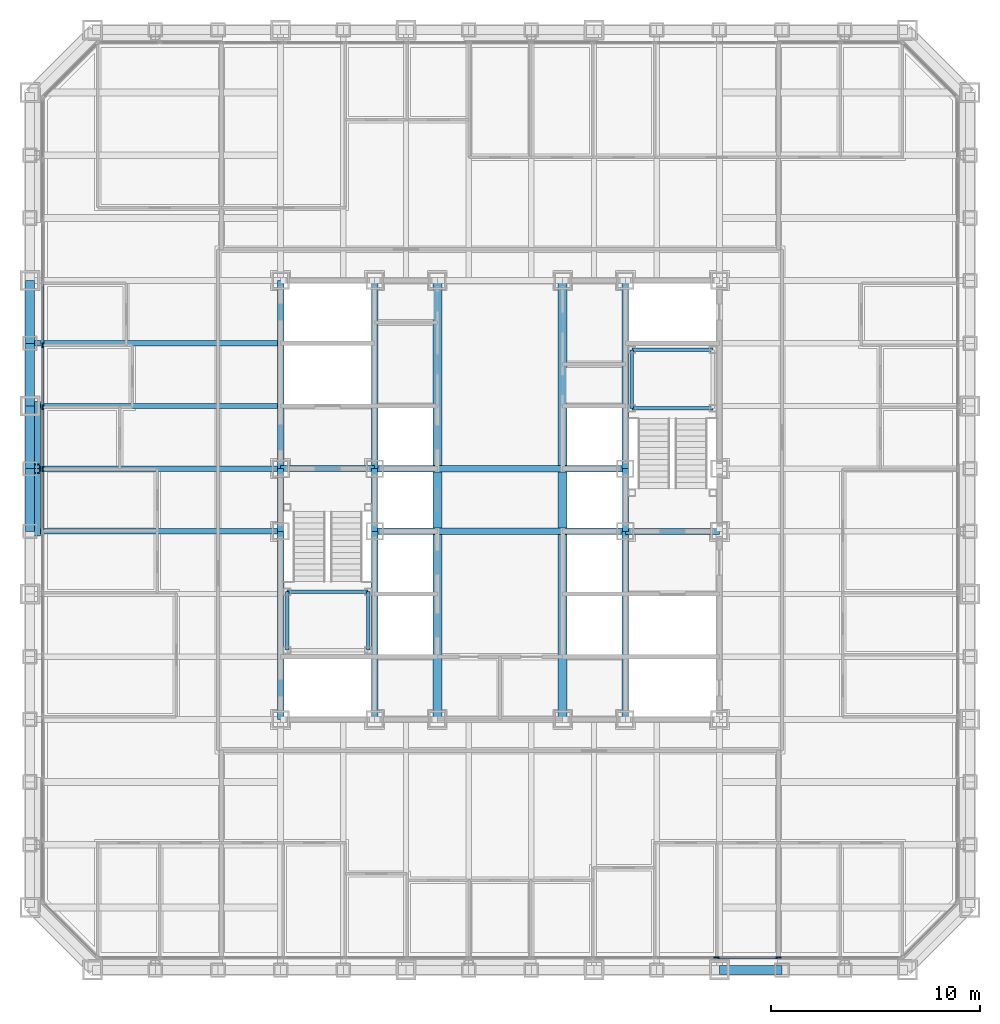
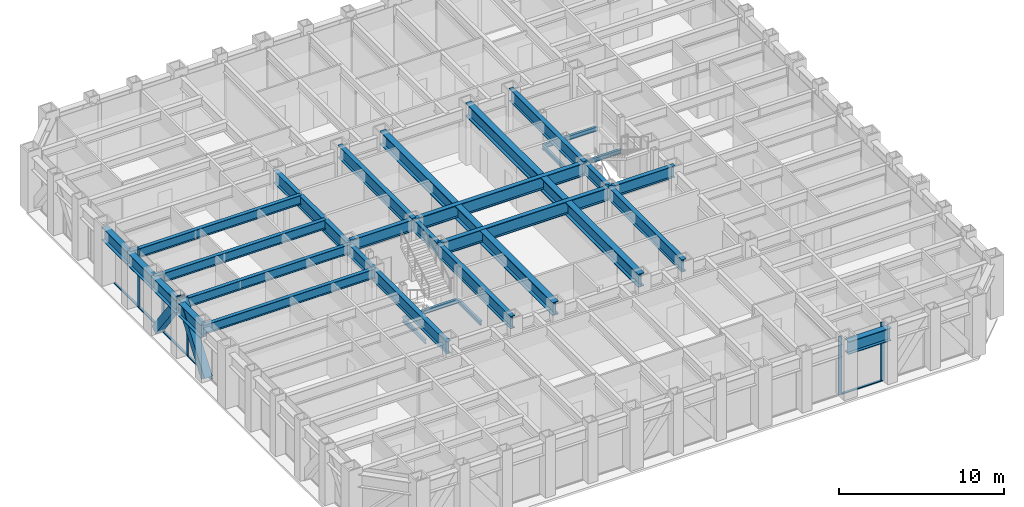
# One storey, part 3 of 16: 34 beams, 12 members, 2 elements without a shape of their own.
"""IFC4 building model written with IfcOpenShell, lengths in metres."""

from ifc_helpers import new_model, si_unit, direction, frame, origin, origin_2d, place, context, subcontext, project, spatial, rectangle, hollow_rectangle, i_section, extrude, material, layer, layer_set, material_profile, profile_set, type_object, element, aggregate, save


model = new_model("IFC4")

# Units and contexts
model_context = context("Model", 3, precision=1e-05, world=origin(), true_north=direction((0.0, 1.0)))
body_context = subcontext(model_context, "Body", "Model", "MODEL_VIEW")
ifc_project = project(units=[si_unit("LENGTHUNIT", "METRE"), si_unit("AREAUNIT", "SQUARE_METRE"), si_unit("VOLUMEUNIT", "CUBIC_METRE"), si_unit("PLANEANGLEUNIT", "RADIAN"), si_unit("MASSUNIT", "GRAM", prefix="KILO")], contexts=[model_context])

# Site, building, storey
site_placement = place(None, origin())
site = spatial("IfcSite", under=ifc_project, at=site_placement, CompositionType="ELEMENT")
building_placement = place(site_placement, origin())
building = spatial("IfcBuilding", under=site, at=building_placement, Name="Chuquiago Exchange Tower", CompositionType="ELEMENT")
storey_placement = place(building_placement, frame((0.0, 0.0, 73.800048828125)))
storey = spatial("IfcBuildingStorey", under=building, at=storey_placement, Name="L15", CompositionType="ELEMENT", Elevation=73.800048828125)

# Beams
ifc_material_1 = material(Name="Steel ASTM A992", Category="steel")
ifc_material_profile_1 = material_profile(ifc_material_1, i_section(OverallWidth=0.307373046875, OverallDepth=0.927001953125, WebThickness=0.01953125, FlangeThickness=0.031982421875, at=origin_2d()), Name="W36X194")
ifc_profile_set_1 = profile_set([ifc_material_profile_1], Name="Steel ASTM A992")
beam_type_1 = type_object("IfcBeamType", Name="B10 W36X194", PredefinedType="BEAM", material=ifc_profile_set_1)
for number, where, z_axis, x_axis, name in (
    (1, (12.0, 12.0, 3.576416015625), (0.0, 1.0, 0.0), (-1.0, 0.0, 0.0), "CB-L16-12_12-12_21"),
    (2, (12.0, 24.0, 3.576416015625), (0.0, 1.0, 0.0), (-1.0, 0.0, 0.0), "CB-L16-12_24-12_33"),
    (3, (16.5, 12.0, 3.87646484375), (0.0, 1.0, 0.0), (-1.0, 0.0, 0.0), "CB-L16-16.5_12-16.5_21"),
    (4, (16.5, 24.0, 3.87646484375), (0.0, 1.0, 0.0), (-1.0, 0.0, 0.0), "CB-L16-16.5_24-16.5_33"),
    (5, (28.5, 12.0, 3.87646484375), (0.0, 1.0, 0.0), (-1.0, 0.0, 0.0), "CB-L16-28.5_12-28.5_21"),
    (6, (28.5, 24.0, 3.87646484375), (0.0, 1.0, 0.0), (-1.0, 0.0, 0.0), "CB-L16-28.5_24-28.5_33"),
):
    element("IfcBeam", number, at=place(storey_placement, frame(where, z_axis=z_axis, x_axis=x_axis)), inside=storey, type_object=beam_type_1, Name=name, PredefinedType="BEAM", context=body_context, shape_type="SweptSolid", body=[
        extrude(i_section(OverallWidth=0.307373046875, OverallDepth=0.927001953125, WebThickness=0.01953125, FlangeThickness=0.031982421875, at=origin_2d()), origin(), (0.0, 0.0, 1.0), 9.0),
    ])
ifc_material_2 = material(Name="Steel ASTM A992", Category="steel")
ifc_material_profile_2 = material_profile(ifc_material_2, i_section(OverallWidth=0.309814453125, OverallDepth=0.949951171875, WebThickness=0.0244140625, FlangeThickness=0.0439453125, at=origin_2d()), Name="W36X256")
ifc_profile_set_2 = profile_set([ifc_material_profile_2], Name="Steel ASTM A992")
beam_type_2 = type_object("IfcBeamType", Name="B11 W36X256", PredefinedType="BEAM", material=ifc_profile_set_2)
for number, where, z_axis, x_axis, name in (
    (7, (16.5, 21.0, 3.864990234375), (1.0, 0.0, 0.0), (0.0, 1.0, 0.0), "CB-L16-16.5_21-28.5_21"),
    (8, (16.5, 24.0, 3.864990234375), (1.0, 0.0, 0.0), (0.0, 1.0, 0.0), "CB-L16-16.5_24-28.5_24"),
):
    element("IfcBeam", number, at=place(storey_placement, frame(where, z_axis=z_axis, x_axis=x_axis)), inside=storey, type_object=beam_type_2, Name=name, PredefinedType="BEAM", context=body_context, shape_type="SweptSolid", body=[
        extrude(i_section(OverallWidth=0.309814453125, OverallDepth=0.949951171875, WebThickness=0.0244140625, FlangeThickness=0.0439453125, at=origin_2d()), origin(), (0.0, 0.0, 1.0), 12.0),
    ])
ifc_material_3 = material(Name="Steel ASTM A992", Category="steel")
ifc_material_profile_3 = material_profile(ifc_material_3, i_section(OverallWidth=0.4267578125, OverallDepth=0.975341796875, WebThickness=0.031005859375, FlangeThickness=0.055908203125, at=origin_2d()), Name="W36X395")
ifc_profile_set_3 = profile_set([ifc_material_profile_3], Name="Steel ASTM A992")
beam_type_3 = type_object("IfcBeamType", Name="B12 W36X395", PredefinedType="BEAM", material=ifc_profile_set_3)
beam_1_placement = place(storey_placement, frame((19.5, 12.0, 3.852294921875), z_axis=(0.0, 1.0, 0.0), x_axis=(-1.0, 0.0, 0.0)))
element("IfcBeam", 9, at=beam_1_placement, inside=storey, type_object=beam_type_3, Name="CB-L16-19.5_12-19.5_20.8451", PredefinedType="BEAM", context=body_context, shape_type="SweptSolid", body=[
    extrude(i_section(OverallWidth=0.4267578125, OverallDepth=0.975341796875, WebThickness=0.031005859375, FlangeThickness=0.055908203125, at=origin_2d()), origin(), (0.0, 0.0, 1.0), 8.84521484375),
])
beam_2_placement = place(storey_placement, frame((19.5, 21.15478515625, 3.852294921875), z_axis=(0.0, 1.0, 0.0), x_axis=(-1.0, 0.0, 0.0)))
element("IfcBeam", 10, at=beam_2_placement, inside=storey, type_object=beam_type_3, Name="CB-L16-19.5_21.1549-19.5_23.8451", PredefinedType="BEAM", context=body_context, shape_type="SweptSolid", body=[
    extrude(i_section(OverallWidth=0.4267578125, OverallDepth=0.975341796875, WebThickness=0.031005859375, FlangeThickness=0.055908203125, at=origin_2d()), origin(), (0.0, 0.0, 1.0), 2.6904296875),
])
for number, where, z_axis, x_axis, name in (
    (11, (19.5, 24.15478515625, 3.852294921875), (0.0, 1.0, 0.0), (-1.0, 0.0, 0.0), "CB-L16-19.5_24.1549-19.5_33"),
    (12, (25.5, 12.0, 3.852294921875), (0.0, 1.0, 0.0), (-1.0, 0.0, 0.0), "CB-L16-25.5_12-25.5_20.8451"),
):
    element("IfcBeam", number, at=place(storey_placement, frame(where, z_axis=z_axis, x_axis=x_axis)), inside=storey, type_object=beam_type_3, Name=name, PredefinedType="BEAM", context=body_context, shape_type="SweptSolid", body=[
        extrude(i_section(OverallWidth=0.4267578125, OverallDepth=0.975341796875, WebThickness=0.031005859375, FlangeThickness=0.055908203125, at=origin_2d()), origin(), (0.0, 0.0, 1.0), 8.84521484375),
    ])
beam_3_placement = place(storey_placement, frame((25.5, 21.15478515625, 3.852294921875), z_axis=(0.0, 1.0, 0.0), x_axis=(-1.0, 0.0, 0.0)))
element("IfcBeam", 13, at=beam_3_placement, inside=storey, type_object=beam_type_3, Name="CB-L16-25.5_21.1549-25.5_23.8451", PredefinedType="BEAM", context=body_context, shape_type="SweptSolid", body=[
    extrude(i_section(OverallWidth=0.4267578125, OverallDepth=0.975341796875, WebThickness=0.031005859375, FlangeThickness=0.055908203125, at=origin_2d()), origin(), (0.0, 0.0, 1.0), 2.6904296875),
])
beam_4_placement = place(storey_placement, frame((25.5, 24.15478515625, 3.852294921875), z_axis=(0.0, 1.0, 0.0), x_axis=(-1.0, 0.0, 0.0)))
element("IfcBeam", 14, at=beam_4_placement, inside=storey, type_object=beam_type_3, Name="CB-L16-25.5_24.1549-25.5_33", PredefinedType="BEAM", context=body_context, shape_type="SweptSolid", body=[
    extrude(i_section(OverallWidth=0.4267578125, OverallDepth=0.975341796875, WebThickness=0.031005859375, FlangeThickness=0.055908203125, at=origin_2d()), origin(), (0.0, 0.0, 1.0), 8.84521484375),
])
ifc_material_4 = material(Name="Steel ASTM A992", Category="steel")
ifc_material_profile_4 = material_profile(ifc_material_4, i_section(OverallWidth=0.2919921875, OverallDepth=0.8583984375, WebThickness=0.01708984375, FlangeThickness=0.031005859375, at=origin_2d()), Name="W33X169")
ifc_profile_set_4 = profile_set([ifc_material_profile_4], Name="Steel ASTM A992")
beam_type_4 = type_object("IfcBeamType", Name="B3 W33X169", PredefinedType="BEAM", material=ifc_profile_set_4)
for number, where, z_axis, x_axis, name in (
    (15, (12.0, 21.0, 3.610595703125), (0.0, 1.0, 0.0), (-1.0, 0.0, 0.0), "CB-L16-12_21-12_24"),
    (16, (16.5, 21.0, 3.91064453125), (0.0, 1.0, 0.0), (-1.0, 0.0, 0.0), "CB-L16-16.5_21-16.5_24"),
    (17, (28.5, 21.0, 3.91064453125), (0.0, 1.0, 0.0), (-1.0, 0.0, 0.0), "CB-L16-28.5_21-28.5_24"),
):
    element("IfcBeam", number, at=place(storey_placement, frame(where, z_axis=z_axis, x_axis=x_axis)), inside=storey, type_object=beam_type_4, Name=name, PredefinedType="BEAM", context=body_context, shape_type="SweptSolid", body=[
        extrude(i_section(OverallWidth=0.2919921875, OverallDepth=0.8583984375, WebThickness=0.01708984375, FlangeThickness=0.031005859375, at=origin_2d()), origin(), (0.0, 0.0, 1.0), 3.0),
    ])
for number, where, z_axis, x_axis, name in (
    (18, (28.5, 21.0, 3.91064453125), (1.0, 0.0, 0.0), (0.0, 1.0, 0.0), "CB-L16-28.5_21-33_21"),
    (19, (12.0, 24.0, 3.91064453125), (1.0, 0.0, 0.0), (0.0, 1.0, 0.0), "CB-L16-12_24-16.5_24"),
):
    element("IfcBeam", number, at=place(storey_placement, frame(where, z_axis=z_axis, x_axis=x_axis)), inside=storey, type_object=beam_type_4, Name=name, PredefinedType="BEAM", context=body_context, shape_type="SweptSolid", body=[
        extrude(i_section(OverallWidth=0.2919921875, OverallDepth=0.8583984375, WebThickness=0.01708984375, FlangeThickness=0.031005859375, at=origin_2d()), origin(), (0.0, 0.0, 1.0), 4.5),
    ])
ifc_material_5 = material(Name="Steel ASTM A992", Category="steel")
ifc_material_profile_5 = material_profile(ifc_material_5, i_section(OverallWidth=0.256591796875, OverallDepth=0.693359375, WebThickness=0.014404296875, FlangeThickness=0.023681640625, at=origin_2d()), Name="W27X114")
ifc_profile_set_5 = profile_set([ifc_material_profile_5], Name="Steel ASTM A992")
beam_type_5 = type_object("IfcBeamType", Name="B4 W27X114", PredefinedType="BEAM", material=ifc_profile_set_5)
for number, where, z_axis, x_axis, name in (
    (20, (12.0, 21.0, 3.693359375), (-1.0, 0.0, 0.0), (0.0, -1.0, 0.0), "FB-L16-infill-12_21--0_21-0"),
    (21, (12.0, 24.0, 3.693359375), (-1.0, 0.0, 0.0), (0.0, -1.0, 0.0), "FB-L16-infill-12_24--0_24-0"),
    (22, (12.0, 27.0, 3.693359375), (-1.0, 0.0, 0.0), (0.0, -1.0, 0.0), "FB-L16-infill-12_27--0_27-0"),
    (23, (12.0, 30.0, 3.693359375), (-1.0, 0.0, 0.0), (0.0, -1.0, 0.0), "FB-L16-infill-12_30--0_30-0"),
):
    element("IfcBeam", number, at=place(storey_placement, frame(where, z_axis=z_axis, x_axis=x_axis)), inside=storey, type_object=beam_type_5, Name=name, PredefinedType="BEAM", context=body_context, shape_type="SweptSolid", body=[
        extrude(i_section(OverallWidth=0.256591796875, OverallDepth=0.693359375, WebThickness=0.014404296875, FlangeThickness=0.023681640625, at=origin_2d()), origin(), (0.0, 0.0, 1.0), 12.0),
    ])

# Curtain wall, members
ifc_material_6 = material(Name="Aluminium curtain wall system", Category="aluminium")
ifc_layer = layer(ifc_material_6, 0.25)
ifc_layer_set = layer_set([ifc_layer], Name="CW1 trading floor curtain wall")
curtain_wall_type = type_object("IfcCurtainWallType", Name="CW1 trading floor curtain wall", PredefinedType="NOTDEFINED", material=ifc_layer_set)
curtain_wall_1_placement = place(storey_placement, origin())
curtain_wall_1 = element("IfcCurtainWall", 24, at=curtain_wall_1_placement, inside=storey, type_object=curtain_wall_type, Name="CW1 curtain wall L15", PredefinedType="NOTDEFINED")
ifc_material_7 = material(Name="Aluminium mullion, pale anodised", Category="aluminium")
ifc_material_profile_6 = material_profile(ifc_material_7, rectangle(XDim=0.074951171875, YDim=0.25, at=origin_2d()), Name="AL 75x250")
ifc_profile_set_6 = profile_set([ifc_material_profile_6], Name="Aluminium mullion, pale anodised")
member_type_1 = type_object("IfcMemberType", Name="CW1-M mullion 75x250", PredefinedType="MULLION", material=ifc_profile_set_6)
member_1_placement = place(storey_placement, frame((32.8662109375, 0.60009765625, -0.300048828125), z_axis=(0.0, 0.0, 1.0), x_axis=(0.0, 1.0, 0.0)))
member_1 = element("IfcMember", 25, at=member_1_placement, type_object=member_type_1, Name="CW1 mullion 11", PredefinedType="MULLION", context=body_context, shape_type="SweptSolid", body=[
    extrude(rectangle(XDim=0.074951171875, YDim=0.25, at=origin_2d()), origin(), (0.0, 0.0, 1.0), 4.340087890625),
])
member_2_placement = place(storey_placement, frame((35.827880859375, 0.60009765625, -0.300048828125), z_axis=(0.0, 0.0, 1.0), x_axis=(0.0, 1.0, 0.0)))
member_2 = element("IfcMember", 26, at=member_2_placement, type_object=member_type_1, Name="CW1 mullion 12", PredefinedType="MULLION", context=body_context, shape_type="SweptSolid", body=[
    extrude(rectangle(XDim=0.074951171875, YDim=0.25, at=origin_2d()), origin(), (0.0, 0.0, 1.0), 4.340087890625),
])

curtain_wall_2_placement = place(storey_placement, origin())
curtain_wall_2 = element("IfcCurtainWall", 27, at=curtain_wall_2_placement, inside=storey, type_object=curtain_wall_type, Name="CW1 curtain wall L15", PredefinedType="NOTDEFINED")
member_3_placement = place(storey_placement, frame((0.60009765625, 29.904541015625, -0.300048828125), z_axis=(0.0, 0.0, 1.0), x_axis=(1.0, 0.0, 0.0)))
member_3 = element("IfcMember", 28, at=member_3_placement, type_object=member_type_1, Name="CW1 mullion 5", PredefinedType="MULLION", context=body_context, shape_type="SweptSolid", body=[
    extrude(rectangle(XDim=0.074951171875, YDim=0.25, at=origin_2d()), origin(), (0.0, 0.0, 1.0), 4.340087890625),
])
member_4_placement = place(storey_placement, frame((0.60009765625, 26.942626953125, -0.300048828125), z_axis=(0.0, 0.0, 1.0), x_axis=(1.0, 0.0, 0.0)))
member_4 = element("IfcMember", 29, at=member_4_placement, type_object=member_type_1, Name="CW1 mullion 6", PredefinedType="MULLION", context=body_context, shape_type="SweptSolid", body=[
    extrude(rectangle(XDim=0.074951171875, YDim=0.25, at=origin_2d()), origin(), (0.0, 0.0, 1.0), 4.340087890625),
])
member_5_placement = place(storey_placement, frame((0.60009765625, 23.98095703125, -0.300048828125), z_axis=(0.0, 0.0, 1.0), x_axis=(1.0, 0.0, 0.0)))
member_5 = element("IfcMember", 30, at=member_5_placement, type_object=member_type_1, Name="CW1 mullion 7", PredefinedType="MULLION", context=body_context, shape_type="SweptSolid", body=[
    extrude(rectangle(XDim=0.074951171875, YDim=0.25, at=origin_2d()), origin(), (0.0, 0.0, 1.0), 4.340087890625),
])

# Member
ifc_material_8 = material(Name="Aluminium transom, pale anodised", Category="aluminium")
ifc_material_profile_7 = material_profile(ifc_material_8, rectangle(XDim=0.14990234375, YDim=0.074951171875, at=origin_2d()), Name="AL 150x75")
ifc_profile_set_7 = profile_set([ifc_material_profile_7], Name="Aluminium transom, pale anodised")
member_type_2 = type_object("IfcMemberType", Name="CW1-T transom 75x150", PredefinedType="MULLION", material=ifc_profile_set_7)
member_6_placement = place(storey_placement, frame((32.90380859375, 0.60009765625, -0.262451171875), z_axis=(1.0, 0.0, 0.0), x_axis=(0.0, 1.0, 0.0)))
member_6 = element("IfcMember", 31, at=member_6_placement, type_object=member_type_2, Name="CW1 transom 11.1", PredefinedType="MULLION", context=body_context, shape_type="SweptSolid", body=[
    extrude(rectangle(XDim=0.14990234375, YDim=0.074951171875, at=origin_2d()), origin(), (0.0, 0.0, 1.0), 2.88671875),
])

aggregate(curtain_wall_1, [member_1, member_2, member_6])

member_7_placement = place(storey_placement, frame((0.60009765625, 32.82861328125, -0.262451171875), z_axis=(0.0, -1.0, 0.0), x_axis=(1.0, 0.0, 0.0)))
member_7 = element("IfcMember", 32, at=member_7_placement, type_object=member_type_2, Name="CW1 transom 4.1", PredefinedType="MULLION", context=body_context, shape_type="SweptSolid", body=[
    extrude(rectangle(XDim=0.14990234375, YDim=0.074951171875, at=origin_2d()), origin(), (0.0, 0.0, 1.0), 2.88671875),
])

member_8_placement = place(storey_placement, frame((0.60009765625, 29.866943359375, -0.262451171875), z_axis=(0.0, -1.0, 0.0), x_axis=(1.0, 0.0, 0.0)))
member_8 = element("IfcMember", 33, at=member_8_placement, type_object=member_type_2, Name="CW1 transom 5.1", PredefinedType="MULLION", context=body_context, shape_type="SweptSolid", body=[
    extrude(rectangle(XDim=0.14990234375, YDim=0.074951171875, at=origin_2d()), origin(), (0.0, 0.0, 1.0), 2.88671875),
])

member_9_placement = place(storey_placement, frame((0.60009765625, 26.9052734375, -0.262451171875), z_axis=(0.0, -1.0, 0.0), x_axis=(1.0, 0.0, 0.0)))
member_9 = element("IfcMember", 34, at=member_9_placement, type_object=member_type_2, Name="CW1 transom 6.1", PredefinedType="MULLION", context=body_context, shape_type="SweptSolid", body=[
    extrude(rectangle(XDim=0.14990234375, YDim=0.074951171875, at=origin_2d()), origin(), (0.0, 0.0, 1.0), 2.886962890625),
])

member_10_placement = place(storey_placement, frame((0.60009765625, 23.943359375, -0.262451171875), z_axis=(0.0, -1.0, 0.0), x_axis=(1.0, 0.0, 0.0)))
member_10 = element("IfcMember", 35, at=member_10_placement, type_object=member_type_2, Name="CW1 transom 7.1", PredefinedType="MULLION", context=body_context, shape_type="SweptSolid", body=[
    extrude(rectangle(XDim=0.14990234375, YDim=0.074951171875, at=origin_2d()), origin(), (0.0, 0.0, 1.0), 2.88671875),
])

aggregate(curtain_wall_2, [member_3, member_4, member_5, member_7, member_8, member_9, member_10])

# Beams
ifc_material_9 = material(Name="Steel ASTM A992", Category="steel")
ifc_material_profile_8 = material_profile(ifc_material_9, i_section(OverallWidth=0.164794921875, OverallDepth=0.309814453125, WebThickness=0.005859375, FlangeThickness=0.009765625, at=origin_2d()), Name="W12X26")
ifc_profile_set_8 = profile_set([ifc_material_profile_8], Name="Steel ASTM A992")
beam_type_6 = type_object("IfcBeamType", Name="LS1 W12X26", PredefinedType="BEAM", material=ifc_profile_set_8)
for number, where, z_axis, x_axis, name in (
    (36, (12.31005859375, 15.31005859375, 1.89501953125), (0.0, 1.0, 0.0), (-1.0, 0.0, 0.0), "Stair ST1 L15 landing 1 stringer"),
    (37, (16.18994140625, 15.31005859375, 1.89501953125), (0.0, 1.0, 0.0), (-1.0, 0.0, 0.0), "Stair ST1 L15 landing 1 stringer"),
    (38, (28.81005859375, 26.889892578125, 1.89501953125), (0.0, 1.0, 0.0), (-1.0, 0.0, 0.0), "Stair ST2 L15 landing 1 stringer"),
):
    element("IfcBeam", number, at=place(storey_placement, frame(where, z_axis=z_axis, x_axis=x_axis)), inside=storey, type_object=beam_type_6, Name=name, PredefinedType="BEAM", context=body_context, shape_type="SweptSolid", body=[
        extrude(i_section(OverallWidth=0.164794921875, OverallDepth=0.309814453125, WebThickness=0.005859375, FlangeThickness=0.009765625, at=origin_2d()), origin(), (0.0, 0.0, 1.0), 2.800048828125),
    ])
ifc_material_10 = material(Name="Steel ASTM A992", Category="steel")
ifc_material_profile_9 = material_profile(ifc_material_10, i_section(OverallWidth=0.164794921875, OverallDepth=0.309814453125, WebThickness=0.005859375, FlangeThickness=0.009765625, at=origin_2d()), Name="W12X26")
ifc_profile_set_9 = profile_set([ifc_material_profile_9], Name="Steel ASTM A992")
beam_type_7 = type_object("IfcBeamType", Name="LT1 W12X26", PredefinedType="BEAM", material=ifc_profile_set_9)
for number, where, z_axis, x_axis, name in (
    (39, (12.31005859375, 18.110107421875, 1.89501953125), (1.0, 0.0, 0.0), (0.0, 1.0, 0.0), "Stair ST1 L15 landing 1 trimmer"),
    (40, (28.81005859375, 29.68994140625, 1.89501953125), (1.0, 0.0, 0.0), (0.0, 1.0, 0.0), "Stair ST2 L15 landing 1 trimmer"),
    (41, (28.81005859375, 26.889892578125, 1.89501953125), (1.0, 0.0, 0.0), (0.0, 1.0, 0.0), "Stair ST2 L15 landing 1 trimmer"),
):
    element("IfcBeam", number, at=place(storey_placement, frame(where, z_axis=z_axis, x_axis=x_axis)), inside=storey, type_object=beam_type_7, Name=name, PredefinedType="BEAM", context=body_context, shape_type="SweptSolid", body=[
        extrude(i_section(OverallWidth=0.164794921875, OverallDepth=0.309814453125, WebThickness=0.005859375, FlangeThickness=0.009765625, at=origin_2d()), origin(), (0.0, 0.0, 1.0), 3.8798828125),
    ])

# Members
ifc_material_11 = material(Name="Steel ASTM A572 Grade 50", Category="steel")
ifc_material_profile_10 = material_profile(ifc_material_11, hollow_rectangle(XDim=0.550048828125, YDim=0.550048828125, WallThickness=0.044921875, at=origin_2d()), Name="BOX550X550X45")
ifc_profile_set_10 = profile_set([ifc_material_profile_10], Name="Steel ASTM A572 Grade 50")
member_type_3 = type_object("IfcMemberType", Name="MB1 BOX550X550X45", PredefinedType="BRACE", material=ifc_profile_set_10)
for number, where, z_axis, x_axis, name in (
    (42, (0.22998046875, 27.0, 0.0), (0.0, -0.596173923302, 0.802855312728), (1.0, 0.0, 0.0), "Mega diagonal L15 W face"),
    (43, (0.22998046875, 21.0, 0.0), (0.0, 0.596173923302, 0.802855312728), (-1.0, 0.0, 0.0), "Mega diagonal L15 W face"),
):
    element("IfcMember", number, at=place(storey_placement, frame(where, z_axis=z_axis, x_axis=x_axis)), inside=storey, type_object=member_type_3, Name=name, PredefinedType="BRACE", context=body_context, shape_type="SweptSolid", body=[
        extrude(hollow_rectangle(XDim=0.550048828125, YDim=0.550048828125, WallThickness=0.044921875, at=origin_2d()), origin(), (0.0, 0.0, 1.0), 5.031982421875),
    ])

# Beams
ifc_material_12 = material(Name="Steel ASTM A992", Category="steel")
ifc_material_profile_11 = material_profile(ifc_material_12, i_section(OverallWidth=0.424072265625, OverallDepth=0.947509765625, WebThickness=0.02392578125, FlangeThickness=0.042724609375, at=origin_2d()), Name="W36X302")
ifc_profile_set_11 = profile_set([ifc_material_profile_11], Name="Steel ASTM A992")
beam_type_8 = type_object("IfcBeamType", Name="SP1 W36X302", PredefinedType="SPANDREL", material=ifc_profile_set_11)
for number, where, z_axis, x_axis, name in (
    (44, (33.0, 0.0, 3.566162109375), (1.0, 0.0, 0.0), (0.0, 1.0, 0.0), "SPB-L16-33_0-36_0"),
    (45, (0.0, 33.0, 3.566162109375), (0.0, -1.0, 0.0), (1.0, 0.0, 0.0), "SPB-L16-0_33-0_30"),
    (46, (0.0, 30.0, 3.566162109375), (0.0, -1.0, 0.0), (1.0, 0.0, 0.0), "SPB-L16-0_30-0_27"),
    (47, (0.0, 27.0, 3.566162109375), (0.0, -1.0, 0.0), (1.0, 0.0, 0.0), "SPB-L16-0_27-0_24"),
    (48, (0.0, 24.0, 3.566162109375), (0.0, -1.0, 0.0), (1.0, 0.0, 0.0), "SPB-L16-0_24-0_21"),
):
    element("IfcBeam", number, at=place(storey_placement, frame(where, z_axis=z_axis, x_axis=x_axis)), inside=storey, type_object=beam_type_8, Name=name, PredefinedType="SPANDREL", context=body_context, shape_type="SweptSolid", body=[
        extrude(i_section(OverallWidth=0.424072265625, OverallDepth=0.947509765625, WebThickness=0.02392578125, FlangeThickness=0.042724609375, at=origin_2d()), origin(), (0.0, 0.0, 1.0), 3.0),
    ])

save(model, "model.ifc")
